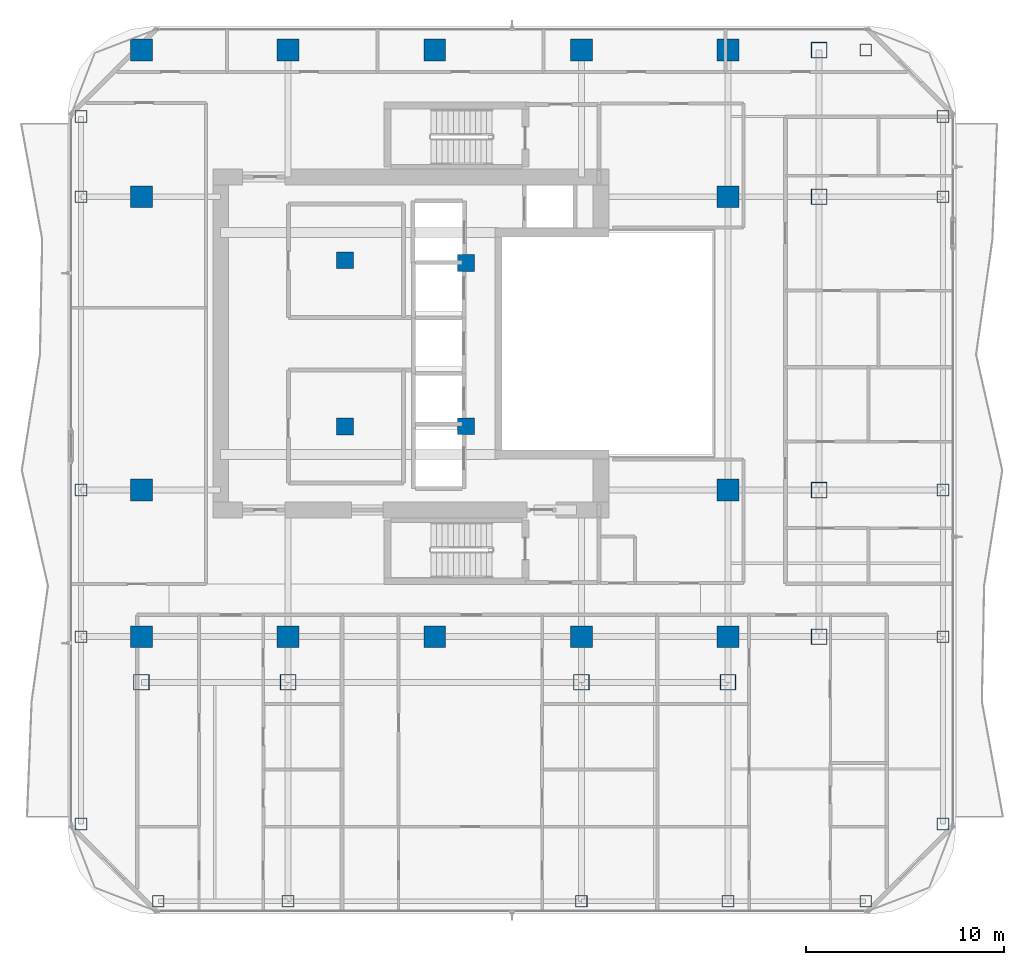
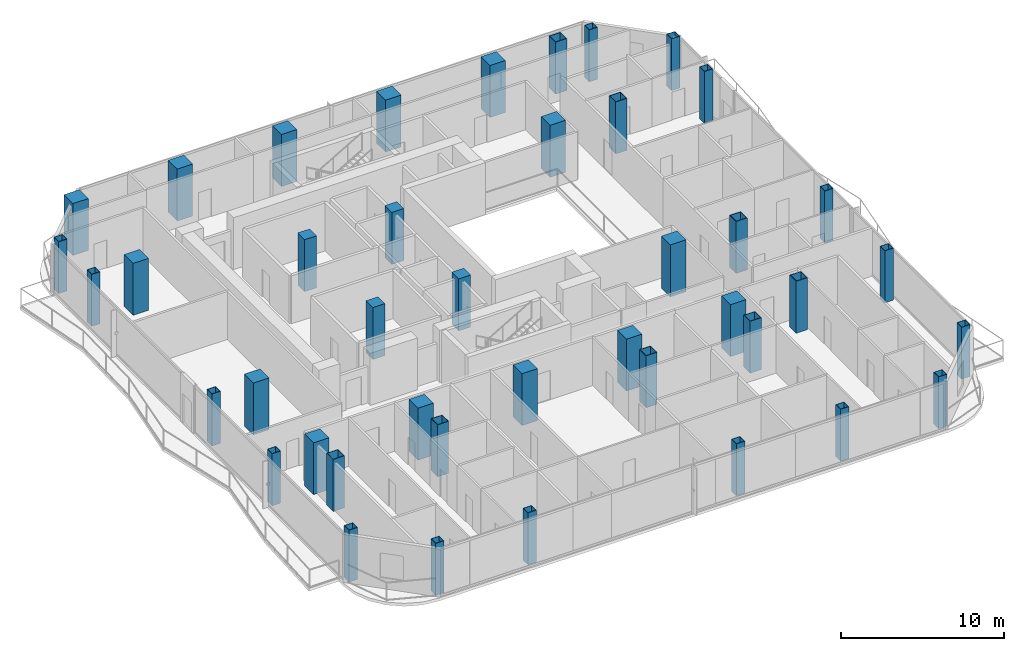
# One storey, part 1 of 27: 42 columns.
"""IFC4 building model written with IfcOpenShell, lengths in metres."""

from ifc_helpers import new_model, si_unit, direction, frame, origin, origin_2d, place, context, subcontext, project, spatial, rectangle, hollow_rectangle, extrude, material, material_profile, profile_set, type_object, element, save


model = new_model("IFC4")

# Units and contexts
model_context = context("Model", 3, precision=1e-05, world=origin(), true_north=direction((0.0, 1.0)))
body_context = subcontext(model_context, "Body", "Model", "MODEL_VIEW")
ifc_project = project(units=[si_unit("LENGTHUNIT", "METRE"), si_unit("AREAUNIT", "SQUARE_METRE"), si_unit("VOLUMEUNIT", "CUBIC_METRE"), si_unit("PLANEANGLEUNIT", "RADIAN"), si_unit("MASSUNIT", "GRAM", prefix="KILO")], contexts=[model_context])

# Site, building, storey
site_placement = place(None, origin())
site = spatial("IfcSite", under=ifc_project, at=site_placement, CompositionType="ELEMENT")
building_placement = place(site_placement, origin())
building = spatial("IfcBuilding", under=site, at=building_placement, Name="Khorvyn Point Tower", CompositionType="ELEMENT")
storey_placement = place(building_placement, frame((0.0, 0.0, 231.300048828125)))
storey = spatial("IfcBuildingStorey", under=building, at=storey_placement, Name="L57", CompositionType="ELEMENT", Elevation=231.300048828125)

# Columns
ifc_material_1 = material(Name="Concrete C40/50", Category="concrete")
ifc_material_profile_1 = material_profile(ifc_material_1, rectangle(XDim=0.85009765625, YDim=0.85009765625, at=origin_2d()))
ifc_profile_set_1 = profile_set([ifc_material_profile_1], Name="Concrete C40/50 RC850x850")
column_type_1 = type_object("IfcColumnType", Name="Concrete C40/50 Column RC850x850", PredefinedType="COLUMN", material=ifc_profile_set_1)
for number, where, z_axis, x_axis, name in (
    (1, (-4.52001953125, -4.199951171875, 0.0), (0.0, 0.0, 1.0), (1.0, 0.0, 0.0), "L57 Crown Core Spine Column 1"),
    (2, (1.580078125, -4.179931640625, 0.0), (0.0, 0.0, 1.0), (1.0, 0.0, 0.0), "L57 Crown Core Spine Column 2"),
    (3, (1.580078125, 4.050048828125, 0.0), (0.0, 0.0, 1.0), (1.0, 0.0, 0.0), "L57 Crown Core Spine Column 3"),
    (4, (-4.52001953125, 4.199951171875, 0.0), (0.0, 0.0, 1.0), (1.0, 0.0, 0.0), "L57 Crown Core Spine Column 4"),
):
    element("IfcColumn", number, at=place(storey_placement, frame(where, z_axis=z_axis, x_axis=x_axis)), inside=storey, type_object=column_type_1, Name=name, PredefinedType="COLUMN", context=body_context, shape_type="SweptSolid", body=[
        extrude(rectangle(XDim=0.85009765625, YDim=0.85009765625, at=origin_2d()), origin(), (0.0, 0.0, 1.0), 3.89990234375),
    ])
ifc_material_2 = material(Name="Concrete C45/55", Category="concrete")
ifc_material_profile_2 = material_profile(ifc_material_2, rectangle(XDim=1.10009765625, YDim=1.10009765625, at=origin_2d()))
ifc_profile_set_2 = profile_set([ifc_material_profile_2], Name="Concrete C45/55 RC1100x1100")
column_type_2 = type_object("IfcColumnType", Name="Concrete C45/55 Column RC1100x1100", PredefinedType="COLUMN", material=ifc_profile_set_2)
for number, where, z_axis, x_axis, name in (
    (5, (-14.800048828125, -14.800048828125, 0.0), (0.0, 0.0, 1.0), (1.0, 0.0, 0.0), "L57 Mega-Column MC-01"),
    (6, (-7.39990234375, -14.800048828125, 0.0), (0.0, 0.0, 1.0), (1.0, 0.0, 0.0), "L57 Mega-Column MC-02"),
    (7, (0.0, -14.800048828125, 0.0), (0.0, 0.0, 1.0), (1.0, 0.0, 0.0), "L57 Mega-Column MC-03"),
    (8, (7.39990234375, -14.800048828125, 0.0), (0.0, 0.0, 1.0), (1.0, 0.0, 0.0), "L57 Mega-Column MC-04"),
    (9, (14.800048828125, -14.800048828125, 0.0), (0.0, 0.0, 1.0), (1.0, 0.0, 0.0), "L57 Mega-Column MC-05"),
    (10, (-14.800048828125, 14.800048828125, 0.0), (0.0, 0.0, 1.0), (1.0, 0.0, 0.0), "L57 Mega-Column MC-06"),
    (11, (-7.39990234375, 14.800048828125, 0.0), (0.0, 0.0, 1.0), (1.0, 0.0, 0.0), "L57 Mega-Column MC-07"),
    (12, (0.0, 14.800048828125, 0.0), (0.0, 0.0, 1.0), (1.0, 0.0, 0.0), "L57 Mega-Column MC-08"),
    (13, (7.39990234375, 14.800048828125, 0.0), (0.0, 0.0, 1.0), (1.0, 0.0, 0.0), "L57 Mega-Column MC-09"),
    (14, (14.800048828125, 14.800048828125, 0.0), (0.0, 0.0, 1.0), (1.0, 0.0, 0.0), "L57 Mega-Column MC-10"),
    (15, (-14.800048828125, -7.39990234375, 0.0), (0.0, 0.0, 1.0), (1.0, 0.0, 0.0), "L57 Mega-Column MC-11"),
    (16, (-14.800048828125, 7.39990234375, 0.0), (0.0, 0.0, 1.0), (1.0, 0.0, 0.0), "L57 Mega-Column MC-12"),
    (17, (14.800048828125, -7.39990234375, 0.0), (0.0, 0.0, 1.0), (1.0, 0.0, 0.0), "L57 Mega-Column MC-13"),
    (18, (14.800048828125, 7.39990234375, 0.0), (0.0, 0.0, 1.0), (1.0, 0.0, 0.0), "L57 Mega-Column MC-14"),
):
    element("IfcColumn", number, at=place(storey_placement, frame(where, z_axis=z_axis, x_axis=x_axis)), inside=storey, type_object=column_type_2, Name=name, PredefinedType="COLUMN", context=body_context, shape_type="SweptSolid", body=[
        extrude(rectangle(XDim=1.10009765625, YDim=1.10009765625, at=origin_2d()), origin(), (0.0, 0.0, 1.0), 3.89990234375),
    ])
ifc_material_3 = material(Name="Steel S450", Category="steel")
ifc_material_profile_3 = material_profile(ifc_material_3, hollow_rectangle(XDim=0.60009765625, YDim=0.60009765625, WallThickness=0.028076171875, at=origin_2d()))
ifc_profile_set_3 = profile_set([ifc_material_profile_3], Name="Steel S450 BOX600x600x28")
column_type_3 = type_object("IfcColumnType", Name="Steel S450 Structural Column BOX600x600x28", PredefinedType="COLUMN", material=ifc_profile_set_3)
for number, where, z_axis, x_axis, name in (
    (19, (-13.949951171875, -28.14990234375, 0.0), (0.0, 0.0, 1.0), (1.0, 0.0, 0.0), "L57 Perimeter Tube Column TC-01"),
    (20, (21.75, -28.14990234375, 0.0), (0.0, 0.0, 1.0), (1.0, 0.0, 0.0), "L57 Perimeter Tube Column TC-02"),
    (21, (21.75, 14.800048828125, 0.0), (0.0, 0.0, 1.0), (1.0, 0.0, 0.0), "L57 Perimeter Tube Column TC-03"),
    (22, (-17.85009765625, -24.25, 0.0), (0.0, 0.0, 1.0), (1.0, 0.0, 0.0), "L57 Perimeter Tube Column TC-04"),
    (23, (-17.85009765625, 11.449951171875, 0.0), (0.0, 0.0, 1.0), (1.0, 0.0, 0.0), "L57 Perimeter Tube Column TC-05"),
    (24, (25.64990234375, -24.25, 0.0), (0.0, 0.0, 1.0), (1.0, 0.0, 0.0), "L57 Perimeter Tube Column TC-06"),
    (25, (25.64990234375, 11.449951171875, 0.0), (0.0, 0.0, 1.0), (1.0, 0.0, 0.0), "L57 Perimeter Tube Column TC-07"),
    (26, (-7.39990234375, -28.14990234375, 0.0), (0.0, 0.0, 1.0), (1.0, 0.0, 0.0), "L57 Perimeter Tube Column TC-08"),
    (27, (7.39990234375, -28.14990234375, 0.0), (0.0, 0.0, 1.0), (1.0, 0.0, 0.0), "L57 Perimeter Tube Column TC-09"),
    (28, (14.800048828125, -28.14990234375, 0.0), (0.0, 0.0, 1.0), (1.0, 0.0, 0.0), "L57 Perimeter Tube Column TC-10"),
    (29, (-17.85009765625, -14.800048828125, 0.0), (0.0, 0.0, 1.0), (1.0, 0.0, 0.0), "L57 Perimeter Tube Column TC-11"),
    (30, (25.64990234375, -14.800048828125, 0.0), (0.0, 0.0, 1.0), (1.0, 0.0, 0.0), "L57 Perimeter Tube Column TC-12"),
    (31, (-17.85009765625, -7.39990234375, 0.0), (0.0, 0.0, 1.0), (1.0, 0.0, 0.0), "L57 Perimeter Tube Column TC-13"),
    (32, (25.64990234375, -7.39990234375, 0.0), (0.0, 0.0, 1.0), (1.0, 0.0, 0.0), "L57 Perimeter Tube Column TC-14"),
    (33, (-17.85009765625, 7.39990234375, 0.0), (0.0, 0.0, 1.0), (1.0, 0.0, 0.0), "L57 Perimeter Tube Column TC-15"),
    (34, (25.64990234375, 7.39990234375, 0.0), (0.0, 0.0, 1.0), (1.0, 0.0, 0.0), "L57 Perimeter Tube Column TC-16"),
):
    element("IfcColumn", number, at=place(storey_placement, frame(where, z_axis=z_axis, x_axis=x_axis)), inside=storey, type_object=column_type_3, Name=name, PredefinedType="COLUMN", context=body_context, shape_type="SweptSolid", body=[
        extrude(hollow_rectangle(XDim=0.60009765625, YDim=0.60009765625, WallThickness=0.028076171875, at=origin_2d()), origin(), (0.0, 0.0, 1.0), 3.89990234375),
    ])
ifc_material_profile_4 = material_profile(ifc_material_3, hollow_rectangle(XDim=0.800048828125, YDim=0.800048828125, WallThickness=0.035888671875, at=origin_2d()))
ifc_profile_set_4 = profile_set([ifc_material_profile_4], Name="Steel S450 BOX800x800x36")
column_type_4 = type_object("IfcColumnType", Name="Steel S450 Structural Column BOX800x800x36", PredefinedType="COLUMN", material=ifc_profile_set_4)
for number, where, z_axis, x_axis, name in (
    (35, (19.39990234375, -14.800048828125, 0.0), (0.0, 0.0, 1.0), (1.0, 0.0, 0.0), "L57 Intermediate Column ICE--14"),
    (36, (19.39990234375, -7.39990234375, 0.0), (0.0, 0.0, 1.0), (1.0, 0.0, 0.0), "L57 Intermediate Column ICE--7"),
    (37, (19.39990234375, 7.39990234375, 0.0), (0.0, 0.0, 1.0), (1.0, 0.0, 0.0), "L57 Intermediate Column ICE-7"),
    (38, (19.39990234375, 14.800048828125, 0.0), (0.0, 0.0, 1.0), (1.0, 0.0, 0.0), "L57 Intermediate Column ICE-14"),
    (39, (-14.800048828125, -17.10009765625, 0.0), (0.0, 0.0, 1.0), (1.0, 0.0, 0.0), "L57 Intermediate Column ICS--14"),
    (40, (-7.39990234375, -17.10009765625, 0.0), (0.0, 0.0, 1.0), (1.0, 0.0, 0.0), "L57 Intermediate Column ICS--7"),
    (41, (7.39990234375, -17.10009765625, 0.0), (0.0, 0.0, 1.0), (1.0, 0.0, 0.0), "L57 Intermediate Column ICS-7"),
    (42, (14.800048828125, -17.10009765625, 0.0), (0.0, 0.0, 1.0), (1.0, 0.0, 0.0), "L57 Intermediate Column ICS-14"),
):
    element("IfcColumn", number, at=place(storey_placement, frame(where, z_axis=z_axis, x_axis=x_axis)), inside=storey, type_object=column_type_4, Name=name, PredefinedType="COLUMN", context=body_context, shape_type="SweptSolid", body=[
        extrude(hollow_rectangle(XDim=0.800048828125, YDim=0.800048828125, WallThickness=0.035888671875, at=origin_2d()), origin(), (0.0, 0.0, 1.0), 3.89990234375),
    ])

save(model, "model.ifc")
